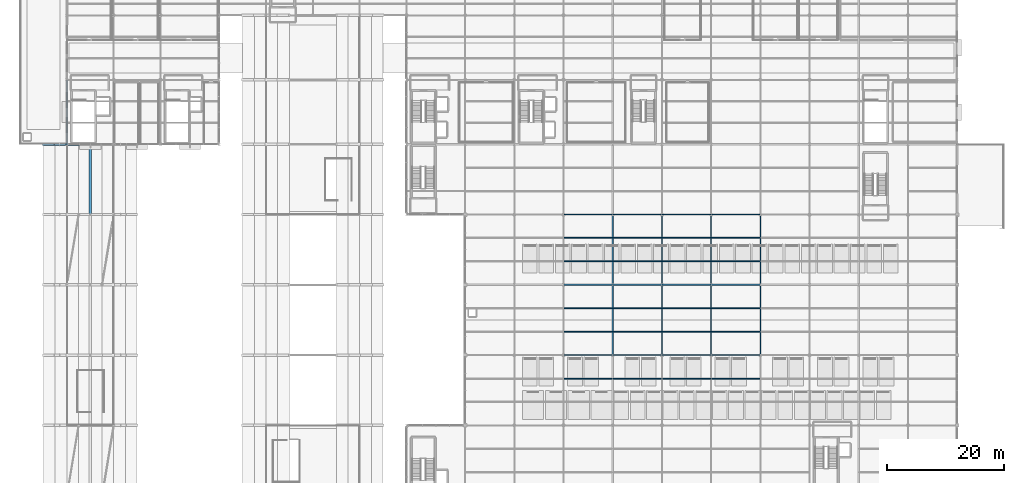
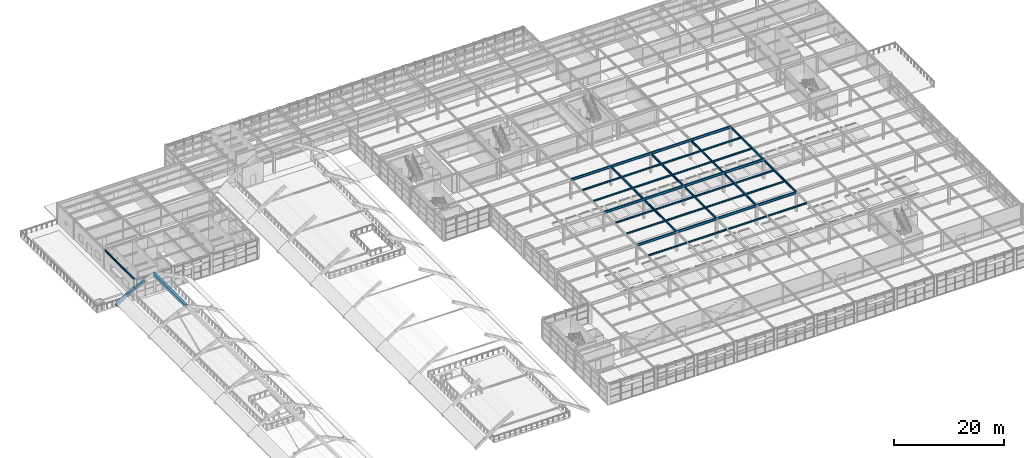
# One storey, part 26 of 82: 45 beams.
"""IFC4 building model written with IfcOpenShell, lengths in metres."""

from ifc_helpers import new_model, si_unit, direction, frame, origin, origin_2d, place, context, subcontext, project, spatial, rectangle, i_section, extrude, material, material_profile, profile_set, type_object, element, save


model = new_model("IFC4")

# Units and contexts
model_context = context("Model", 3, precision=1e-05, world=origin(), true_north=direction((0.0, 1.0)))
body_context = subcontext(model_context, "Body", "Model", "MODEL_VIEW")
ifc_project = project(units=[si_unit("LENGTHUNIT", "METRE"), si_unit("AREAUNIT", "SQUARE_METRE"), si_unit("VOLUMEUNIT", "CUBIC_METRE"), si_unit("PLANEANGLEUNIT", "RADIAN"), si_unit("MASSUNIT", "GRAM", prefix="KILO")], contexts=[model_context])

# Site, building, storey
site_placement = place(None, origin())
site = spatial("IfcSite", under=ifc_project, at=site_placement, CompositionType="ELEMENT")
building_placement = place(site_placement, origin())
building = spatial("IfcBuilding", under=site, at=building_placement, Name="Sitalva Quay Ferry Terminal", CompositionType="ELEMENT")
storey_placement = place(building_placement, frame((0.0, 0.0, 5.39990234375)))
storey = spatial("IfcBuildingStorey", under=building, at=storey_placement, Name="L02", CompositionType="ELEMENT", Elevation=5.39990234375)

# Beams
ifc_material_1 = material(Name="Concrete C40/50", Category="concrete")
ifc_material_profile_1 = material_profile(ifc_material_1, rectangle(XDim=0.39990234375, YDim=0.550048828125, at=origin_2d()), Name="RC400x550")
ifc_profile_set_1 = profile_set([ifc_material_profile_1], Name="Concrete C40/50")
beam_type_1 = type_object("IfcBeamType", Name="Beam_Arch_RC400x550", PredefinedType="BEAM", material=ifc_profile_set_1)
beam_1_placement = place(storey_placement, frame((12.0, 78.0, 0.007080078125), z_axis=(0.816948516584, 0.0, 0.57671060442), x_axis=(0.0, 1.0, 0.0)))
element("IfcBeam", 1, at=beam_1_placement, inside=storey, type_object=beam_type_1, Name="Vault V2 transverse arch rib 7.3", PredefinedType="BEAM", context=body_context, shape_type="SweptSolid", body=[
    extrude(rectangle(XDim=0.39990234375, YDim=0.550048828125, at=origin_2d()), origin(), (0.0, 0.0, 1.0), 2.4482421875),
])
beam_2_placement = place(storey_placement, frame((14.0, 78.0, 1.429443359375), z_axis=(0.863029032245, 0.0, 0.505154322463), x_axis=(0.0, 1.0, 0.0)))
element("IfcBeam", 2, at=beam_2_placement, inside=storey, type_object=beam_type_1, Name="Vault V2 transverse arch rib 7.4", PredefinedType="BEAM", context=body_context, shape_type="SweptSolid", body=[
    extrude(rectangle(XDim=0.39990234375, YDim=0.550048828125, at=origin_2d()), origin(), (0.0, 0.0, 1.0), 2.3173828125),
])
beam_3_placement = place(storey_placement, frame((16.0, 78.0, 2.60791015625), z_axis=(0.901057393418, 0.0, 0.433699865997), x_axis=(0.0, 1.0, 0.0)))
element("IfcBeam", 3, at=beam_3_placement, inside=storey, type_object=beam_type_1, Name="Vault V2 transverse arch rib 7.5", PredefinedType="BEAM", context=body_context, shape_type="SweptSolid", body=[
    extrude(rectangle(XDim=0.39990234375, YDim=0.550048828125, at=origin_2d()), origin(), (0.0, 0.0, 1.0), 2.2197265625),
])
ifc_material_2 = material(Name="Concrete C40/50", Category="concrete")
ifc_material_profile_2 = material_profile(ifc_material_2, rectangle(XDim=0.449951171875, YDim=0.64990234375, at=origin_2d()), Name="RC450x650")
ifc_profile_set_2 = profile_set([ifc_material_profile_2], Name="Concrete C40/50")
beam_type_2 = type_object("IfcBeamType", Name="Beam_Ridge_RC450x650", PredefinedType="BEAM", material=ifc_profile_set_2)
beam_4_placement = place(storey_placement, frame((20.0, 66.0, 4.315185546875), z_axis=(0.0, 1.0, 0.0), x_axis=(-1.0, 0.0, 0.0)))
element("IfcBeam", 4, at=beam_4_placement, inside=storey, type_object=beam_type_2, Name="Vault V2 pointed ridge beam bay 6", PredefinedType="BEAM", context=body_context, shape_type="SweptSolid", body=[
    extrude(rectangle(XDim=0.449951171875, YDim=0.64990234375, at=origin_2d()), origin(), (0.0, 0.0, 1.0), 12.0),
])
ifc_material_3 = material(Name="Structural Steel S355JR", Category="steel")
ifc_material_profile_3 = material_profile(ifc_material_3, i_section(OverallWidth=0.180908203125, OverallDepth=0.4169921875, WebThickness=0.010986328125, FlangeThickness=0.018310546875, FilletRadius=0.012939453125, at=origin_2d()), Name="W410x85")
ifc_profile_set_3 = profile_set([ifc_material_profile_3], Name="Structural Steel S355JR")
beam_type_3 = type_object("IfcBeamType", Name="Beam_W410x85", PredefinedType="BEAM", material=ifc_profile_set_3)
beam_5_placement = place(storey_placement, frame((16.0, 78.0, 4.3515625), z_axis=(0.0, 1.0, 0.0), x_axis=(-1.0, 0.0, 0.0)))
element("IfcBeam", 5, at=beam_5_placement, inside=storey, type_object=beam_type_3, Name="L02 Primary Y girder 0970", PredefinedType="BEAM", context=body_context, shape_type="SweptSolid", body=[
    extrude(i_section(OverallWidth=0.180908203125, OverallDepth=0.4169921875, WebThickness=0.010986328125, FlangeThickness=0.018310546875, FilletRadius=0.012939453125, at=origin_2d()), origin(), (0.0, 0.0, 1.0), 11.0),
])
ifc_material_4 = material(Name="Structural Steel S355JR", Category="steel")
ifc_material_profile_4 = material_profile(ifc_material_4, i_section(OverallWidth=0.19091796875, OverallDepth=0.4599609375, WebThickness=0.010009765625, FlangeThickness=0.01611328125, FilletRadius=0.013916015625, at=origin_2d()), Name="W460x82")
ifc_profile_set_4 = profile_set([ifc_material_profile_4], Name="Structural Steel S355JR")
beam_type_4 = type_object("IfcBeamType", Name="Beam_W460x82", PredefinedType="BEAM", material=ifc_profile_set_4)
for number, where, z_axis, x_axis, name in (
    (6, (109.199951171875, 42.0, 4.22021484375), (0.0, 1.0, 0.0), (-1.0, 0.0, 0.0), "L02 Primary Y girder 0824"),
    (7, (109.199951171875, 54.0, 4.22021484375), (0.0, 1.0, 0.0), (-1.0, 0.0, 0.0), "L02 Primary Y girder 0825"),
    (8, (117.60009765625, 42.0, 4.22021484375), (0.0, 1.0, 0.0), (-1.0, 0.0, 0.0), "L02 Primary Y girder 0829"),
    (9, (117.60009765625, 54.0, 4.22021484375), (0.0, 1.0, 0.0), (-1.0, 0.0, 0.0), "L02 Primary Y girder 0830"),
    (10, (126.0, 42.0, 4.22021484375), (0.0, 1.0, 0.0), (-1.0, 0.0, 0.0), "L02 Primary Y girder 0834"),
    (11, (126.0, 54.0, 4.22021484375), (0.0, 1.0, 0.0), (-1.0, 0.0, 0.0), "L02 Primary Y girder 0835"),
    (12, (134.39990234375, 42.0, 4.22021484375), (0.0, 1.0, 0.0), (-1.0, 0.0, 0.0), "L02 Primary Y girder 0839"),
    (13, (134.39990234375, 54.0, 4.22021484375), (0.0, 1.0, 0.0), (-1.0, 0.0, 0.0), "L02 Primary Y girder 0840"),
):
    element("IfcBeam", number, at=place(storey_placement, frame(where, z_axis=z_axis, x_axis=x_axis)), inside=storey, type_object=beam_type_4, Name=name, PredefinedType="BEAM", context=body_context, shape_type="SweptSolid", body=[
        extrude(i_section(OverallWidth=0.19091796875, OverallDepth=0.4599609375, WebThickness=0.010009765625, FlangeThickness=0.01611328125, FilletRadius=0.013916015625, at=origin_2d()), origin(), (0.0, 0.0, 1.0), 12.0),
    ])
ifc_material_5 = material(Name="Structural Steel S355JR", Category="steel")
ifc_material_profile_5 = material_profile(ifc_material_5, i_section(OverallWidth=0.2119140625, OverallDepth=0.5439453125, WebThickness=0.01318359375, FlangeThickness=0.021240234375, FilletRadius=0.014892578125, at=origin_2d()), Name="W530x123")
ifc_profile_set_5 = profile_set([ifc_material_profile_5], Name="Structural Steel S355JR")
beam_type_5 = type_object("IfcBeamType", Name="Girder_W530x123", PredefinedType="USERDEFINED", material=ifc_profile_set_5)
beam_6_placement = place(storey_placement, frame((100.800048828125, 42.0, 4.177978515625), z_axis=(1.0, 0.0, 0.0), x_axis=(0.0, 1.0, 0.0)))
element("IfcBeam", 14, at=beam_6_placement, inside=storey, type_object=beam_type_5, Name="L02 Primary X girder 0771", ObjectType="GIRDER", PredefinedType="USERDEFINED", context=body_context, shape_type="SweptSolid", body=[
    extrude(i_section(OverallWidth=0.2119140625, OverallDepth=0.5439453125, WebThickness=0.01318359375, FlangeThickness=0.021240234375, FilletRadius=0.014892578125, at=origin_2d()), origin(), (0.0, 0.0, 1.0), 8.39990234375),
])
beam_7_placement = place(storey_placement, frame((109.199951171875, 42.0, 4.177978515625), z_axis=(1.0, 0.0, 0.0), x_axis=(0.0, 1.0, 0.0)))
element("IfcBeam", 15, at=beam_7_placement, inside=storey, type_object=beam_type_5, Name="L02 Primary X girder 0772", ObjectType="GIRDER", PredefinedType="USERDEFINED", context=body_context, shape_type="SweptSolid", body=[
    extrude(i_section(OverallWidth=0.2119140625, OverallDepth=0.5439453125, WebThickness=0.01318359375, FlangeThickness=0.021240234375, FilletRadius=0.014892578125, at=origin_2d()), origin(), (0.0, 0.0, 1.0), 8.400146484375),
])
for number, where, z_axis, x_axis, name in (
    (16, (117.60009765625, 42.0, 4.177978515625), (1.0, 0.0, 0.0), (0.0, 1.0, 0.0), "L02 Primary X girder 0773"),
    (17, (126.0, 42.0, 4.177978515625), (1.0, 0.0, 0.0), (0.0, 1.0, 0.0), "L02 Primary X girder 0774"),
    (18, (100.800048828125, 54.0, 4.177978515625), (1.0, 0.0, 0.0), (0.0, 1.0, 0.0), "L02 Primary X girder 0781"),
):
    element("IfcBeam", number, at=place(storey_placement, frame(where, z_axis=z_axis, x_axis=x_axis)), inside=storey, type_object=beam_type_5, Name=name, ObjectType="GIRDER", PredefinedType="USERDEFINED", context=body_context, shape_type="SweptSolid", body=[
        extrude(i_section(OverallWidth=0.2119140625, OverallDepth=0.5439453125, WebThickness=0.01318359375, FlangeThickness=0.021240234375, FilletRadius=0.014892578125, at=origin_2d()), origin(), (0.0, 0.0, 1.0), 8.39990234375),
    ])
beam_8_placement = place(storey_placement, frame((109.199951171875, 54.0, 4.177978515625), z_axis=(1.0, 0.0, 0.0), x_axis=(0.0, 1.0, 0.0)))
element("IfcBeam", 19, at=beam_8_placement, inside=storey, type_object=beam_type_5, Name="L02 Primary X girder 0782", ObjectType="GIRDER", PredefinedType="USERDEFINED", context=body_context, shape_type="SweptSolid", body=[
    extrude(i_section(OverallWidth=0.2119140625, OverallDepth=0.5439453125, WebThickness=0.01318359375, FlangeThickness=0.021240234375, FilletRadius=0.014892578125, at=origin_2d()), origin(), (0.0, 0.0, 1.0), 8.400146484375),
])
for number, where, z_axis, x_axis, name in (
    (20, (117.60009765625, 54.0, 4.177978515625), (1.0, 0.0, 0.0), (0.0, 1.0, 0.0), "L02 Primary X girder 0783"),
    (21, (126.0, 54.0, 4.177978515625), (1.0, 0.0, 0.0), (0.0, 1.0, 0.0), "L02 Primary X girder 0784"),
    (22, (100.800048828125, 66.0, 4.177978515625), (1.0, 0.0, 0.0), (0.0, 1.0, 0.0), "L02 Primary X girder 0791"),
):
    element("IfcBeam", number, at=place(storey_placement, frame(where, z_axis=z_axis, x_axis=x_axis)), inside=storey, type_object=beam_type_5, Name=name, ObjectType="GIRDER", PredefinedType="USERDEFINED", context=body_context, shape_type="SweptSolid", body=[
        extrude(i_section(OverallWidth=0.2119140625, OverallDepth=0.5439453125, WebThickness=0.01318359375, FlangeThickness=0.021240234375, FilletRadius=0.014892578125, at=origin_2d()), origin(), (0.0, 0.0, 1.0), 8.39990234375),
    ])
beam_9_placement = place(storey_placement, frame((109.199951171875, 66.0, 4.177978515625), z_axis=(1.0, 0.0, 0.0), x_axis=(0.0, 1.0, 0.0)))
element("IfcBeam", 23, at=beam_9_placement, inside=storey, type_object=beam_type_5, Name="L02 Primary X girder 0792", ObjectType="GIRDER", PredefinedType="USERDEFINED", context=body_context, shape_type="SweptSolid", body=[
    extrude(i_section(OverallWidth=0.2119140625, OverallDepth=0.5439453125, WebThickness=0.01318359375, FlangeThickness=0.021240234375, FilletRadius=0.014892578125, at=origin_2d()), origin(), (0.0, 0.0, 1.0), 8.400146484375),
])
for number, where, z_axis, x_axis, name in (
    (24, (117.60009765625, 66.0, 4.177978515625), (1.0, 0.0, 0.0), (0.0, 1.0, 0.0), "L02 Primary X girder 0793"),
    (25, (126.0, 66.0, 4.177978515625), (1.0, 0.0, 0.0), (0.0, 1.0, 0.0), "L02 Primary X girder 0794"),
):
    element("IfcBeam", number, at=place(storey_placement, frame(where, z_axis=z_axis, x_axis=x_axis)), inside=storey, type_object=beam_type_5, Name=name, ObjectType="GIRDER", PredefinedType="USERDEFINED", context=body_context, shape_type="SweptSolid", body=[
        extrude(i_section(OverallWidth=0.2119140625, OverallDepth=0.5439453125, WebThickness=0.01318359375, FlangeThickness=0.021240234375, FilletRadius=0.014892578125, at=origin_2d()), origin(), (0.0, 0.0, 1.0), 8.39990234375),
    ])
ifc_material_6 = material(Name="Structural Steel S355JR", Category="steel")
ifc_material_profile_6 = material_profile(ifc_material_6, i_section(OverallWidth=0.172119140625, OverallDepth=0.35791015625, WebThickness=0.0078125, FlangeThickness=0.01318359375, FilletRadius=0.011962890625, at=origin_2d()), Name="W360x57")
ifc_profile_set_6 = profile_set([ifc_material_profile_6], Name="Structural Steel S355JR")
beam_type_6 = type_object("IfcBeamType", Name="Joist_W360x57", PredefinedType="JOIST", material=ifc_profile_set_6)
for number, where, z_axis, x_axis, name in (
    (26, (100.8955078125, 38.0, 4.27099609375), (1.0, 0.0, 0.0), (0.0, 1.0, 0.0), "L02 Secondary joist 0892"),
    (27, (109.29541015625, 38.0, 4.27099609375), (1.0, 0.0, 0.0), (0.0, 1.0, 0.0), "L02 Secondary joist 0893"),
    (28, (117.695556640625, 38.0, 4.27099609375), (1.0, 0.0, 0.0), (0.0, 1.0, 0.0), "L02 Secondary joist 0894"),
    (29, (126.095458984375, 38.0, 4.27099609375), (1.0, 0.0, 0.0), (0.0, 1.0, 0.0), "L02 Secondary joist 0895"),
    (30, (100.8955078125, 46.0, 4.27099609375), (1.0, 0.0, 0.0), (0.0, 1.0, 0.0), "L02 Secondary joist 0902"),
    (31, (109.29541015625, 46.0, 4.27099609375), (1.0, 0.0, 0.0), (0.0, 1.0, 0.0), "L02 Secondary joist 0903"),
    (32, (117.695556640625, 46.0, 4.27099609375), (1.0, 0.0, 0.0), (0.0, 1.0, 0.0), "L02 Secondary joist 0904"),
    (33, (126.095458984375, 46.0, 4.27099609375), (1.0, 0.0, 0.0), (0.0, 1.0, 0.0), "L02 Secondary joist 0905"),
    (34, (100.8955078125, 50.0, 4.27099609375), (1.0, 0.0, 0.0), (0.0, 1.0, 0.0), "L02 Secondary joist 0912"),
    (35, (109.29541015625, 50.0, 4.27099609375), (1.0, 0.0, 0.0), (0.0, 1.0, 0.0), "L02 Secondary joist 0913"),
    (36, (117.695556640625, 50.0, 4.27099609375), (1.0, 0.0, 0.0), (0.0, 1.0, 0.0), "L02 Secondary joist 0914"),
    (37, (126.095458984375, 50.0, 4.27099609375), (1.0, 0.0, 0.0), (0.0, 1.0, 0.0), "L02 Secondary joist 0915"),
    (38, (100.8955078125, 58.0, 4.27099609375), (1.0, 0.0, 0.0), (0.0, 1.0, 0.0), "L02 Secondary joist 0922"),
    (39, (109.29541015625, 58.0, 4.27099609375), (1.0, 0.0, 0.0), (0.0, 1.0, 0.0), "L02 Secondary joist 0923"),
    (40, (117.695556640625, 58.0, 4.27099609375), (1.0, 0.0, 0.0), (0.0, 1.0, 0.0), "L02 Secondary joist 0924"),
    (41, (126.095458984375, 58.0, 4.27099609375), (1.0, 0.0, 0.0), (0.0, 1.0, 0.0), "L02 Secondary joist 0925"),
    (42, (100.8955078125, 62.0, 4.27099609375), (1.0, 0.0, 0.0), (0.0, 1.0, 0.0), "L02 Secondary joist 0932"),
    (43, (109.29541015625, 62.0, 4.27099609375), (1.0, 0.0, 0.0), (0.0, 1.0, 0.0), "L02 Secondary joist 0933"),
    (44, (117.695556640625, 62.0, 4.27099609375), (1.0, 0.0, 0.0), (0.0, 1.0, 0.0), "L02 Secondary joist 0934"),
    (45, (126.095458984375, 62.0, 4.27099609375), (1.0, 0.0, 0.0), (0.0, 1.0, 0.0), "L02 Secondary joist 0935"),
):
    element("IfcBeam", number, at=place(storey_placement, frame(where, z_axis=z_axis, x_axis=x_axis)), inside=storey, type_object=beam_type_6, Name=name, PredefinedType="JOIST", context=body_context, shape_type="SweptSolid", body=[
        extrude(i_section(OverallWidth=0.172119140625, OverallDepth=0.35791015625, WebThickness=0.0078125, FlangeThickness=0.01318359375, FilletRadius=0.011962890625, at=origin_2d()), origin(), (0.0, 0.0, 1.0), 8.208984375),
    ])

save(model, "model.ifc")
